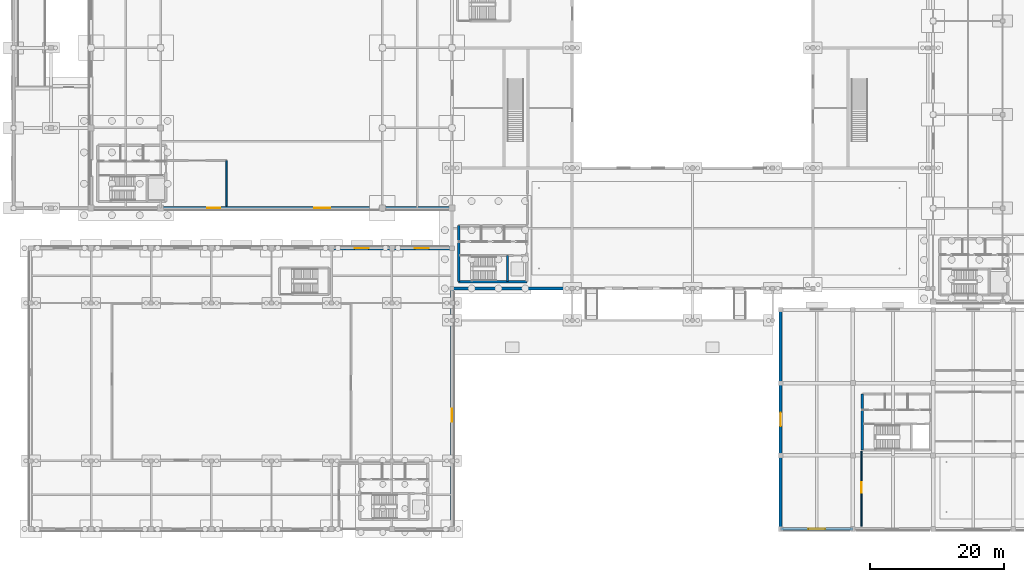
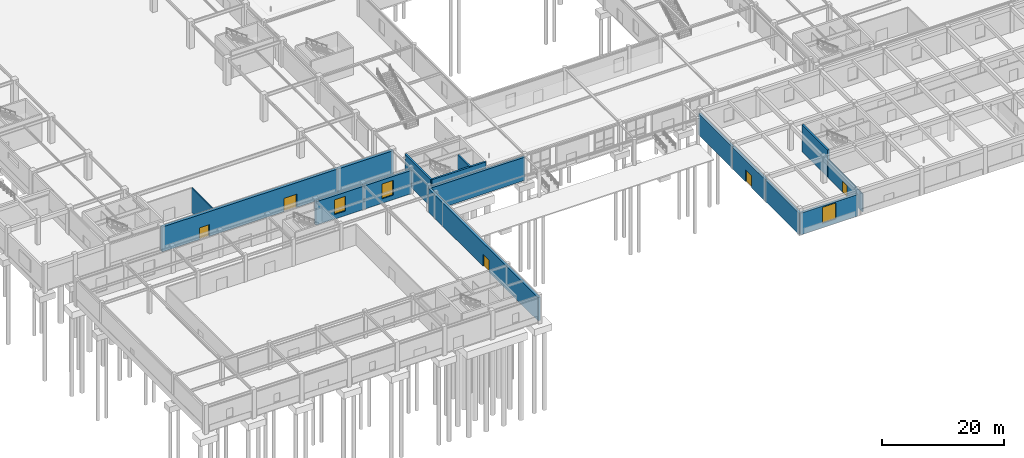
# One storey, part 25 of 53: 16 walls, 5 doors, 3 windows, 8 openings.
"""IFC4 building model written with IfcOpenShell, lengths in metres."""

from ifc_helpers import new_model, si_unit, derived_unit, direction, frame, frame_2d, origin, place, context, subcontext, project, spatial, rectangle, extrude, material, layer, layer_set, type_object, element, fill, save


model = new_model("IFC4")

# Units and contexts
model_context = context("Model", 3, precision=1e-05, world=origin(), true_north=direction((0.0, 1.0)))
body_context = subcontext(model_context, "Body", "Model", "MODEL_VIEW")
ifc_project = project(units=[si_unit("LENGTHUNIT", "METRE"), si_unit("AREAUNIT", "SQUARE_METRE"), si_unit("VOLUMEUNIT", "CUBIC_METRE"), si_unit("PLANEANGLEUNIT", "RADIAN"), si_unit("MASSUNIT", "GRAM", prefix="KILO"), derived_unit("THERMALTRANSMITTANCEUNIT", [(si_unit("POWERUNIT", "WATT"), 1), (si_unit("LENGTHUNIT", "METRE"), -2), (si_unit("THERMODYNAMICTEMPERATUREUNIT", "KELVIN"), -1)])], contexts=[model_context])

# Site, building, storey
site_placement = place(None, origin())
site = spatial("IfcSite", under=ifc_project, at=site_placement, CompositionType="ELEMENT")
building_placement = place(site_placement, origin())
building = spatial("IfcBuilding", under=site, at=building_placement, Name="Almenara Railside Exhibition Hall", CompositionType="ELEMENT")
storey_placement = place(building_placement, origin())
storey = spatial("IfcBuildingStorey", under=building, at=storey_placement, Name="L00", CompositionType="ELEMENT", Elevation=0.0)

# Walls
ifc_material_1 = material(Name="Concrete C35/45", Category="concrete")
ifc_layer_1 = layer(ifc_material_1, 0.35009765625, Name="Concrete C35/45")
ifc_layer_set_1 = layer_set([ifc_layer_1], Name="Concrete C35/45")
wall_type_1 = type_object("IfcWallType", Name="Core Coupled Shear Wall 350mm C35/45", PredefinedType="SHEAR", material=ifc_layer_set_1)
wall_1_placement = place(storey_placement, frame((67.0, 37.0, 0.0), z_axis=(0.0, 0.0, 1.0), x_axis=(1.0, 0.0, 0.0)))
element("IfcWall", 1, at=wall_1_placement, inside=storey, type_object=wall_type_1, Name="Interior wall 0073", PredefinedType="SHEAR", context=body_context, shape_type="SweptSolid", body=[
    extrude(rectangle(XDim=10.199951171875, YDim=0.35009765625, at=frame_2d((5.10009765625, 0.0))), origin(), (0.0, 0.0, 1.0), 5.39990234375),
])
for number, where, z_axis, x_axis, name in (
    (2, (67.0, 45.39990234375, 0.0), (0.0, 0.0, 1.0), (0.0, -1.0, 0.0), "Interior wall 0075"),
    (3, (127.39990234375, 20.199951171875, 0.0), (0.0, 0.0, 1.0), (0.0, -1.0, 0.0), "Interior wall 0111"),
):
    element("IfcWall", number, at=place(storey_placement, frame(where, z_axis=z_axis, x_axis=x_axis)), inside=storey, type_object=wall_type_1, Name=name, PredefinedType="SHEAR", context=body_context, shape_type="SweptSolid", body=[
        extrude(rectangle(XDim=8.39990234375, YDim=0.35009765625, at=frame_2d((4.199951171875, 0.0))), origin(), (0.0, 0.0, 1.0), 5.39990234375),
    ])

# Wall, opening, door
ifc_material_2 = material(Name="Fire-rated gypsum and masonry partition", Category="masonry")
ifc_layer_2 = layer(ifc_material_2, 0.18505859375, Name="Fire-rated gypsum and masonry partition")
ifc_layer_set_2 = layer_set([ifc_layer_2], Name="Fire-rated gypsum and masonry partition")
wall_type_2 = type_object("IfcWallType", Name="Corridor Fire Partition 185mm", PredefinedType="PARTITIONING", material=ifc_layer_set_2)
wall_2_placement = place(storey_placement, frame((127.300048828125, 0.39990234375, 0.0), z_axis=(0.0, 0.0, 1.0), x_axis=(0.0, 1.0, 0.0)))
wall_2 = element("IfcWall", 4, at=wall_2_placement, inside=storey, type_object=wall_type_2, Name="Interior wall 0374", PredefinedType="PARTITIONING", context=body_context, shape_type="SweptSolid", body=[
    extrude(rectangle(XDim=11.2001953125, YDim=0.18505859375, at=frame_2d((5.60009765625, 0.0))), origin(), (0.0, 0.0, 1.0), 3.60009765625),
])
opening_1_placement = place(wall_2_placement, frame((5.0, 0.0, 0.0)))
opening_1 = element("IfcOpeningElement", 5, at=opening_1_placement, cuts=wall_2, Name="Opening ID-16", PredefinedType="OPENING", context=body_context, shape_type="SweptSolid", body=[
    extrude(rectangle(XDim=1.60009765625, YDim=2.199951171875, at=frame_2d((0.800048828125, 1.10009765625))), frame((0.0, 0.1025390625, 0.0), z_axis=(0.0, -1.0, 0.0), x_axis=(1.0, 0.0, 0.0)), (0.0, 0.0, 1.0), 0.205078125),
])
ifc_material_3 = material(Name="Iroko hardwood double door", Category="wood")
door_type_1 = type_object("IfcDoorType", Name="Meeting Suite Double Door 1600x2200", OperationType="NOTDEFINED", PredefinedType="DOOR", material=ifc_material_3)
door_1_placement = place(opening_1_placement, origin())
door_1 = element("IfcDoor", 6, at=door_1_placement, inside=storey, type_object=door_type_1, Name="Interior door ID-16-237", OperationType="DOUBLE_DOOR_SINGLE_SWING", OverallHeight=2.199951171875, OverallWidth=1.60009765625, PredefinedType="DOOR", context=body_context, shape_type="SweptSolid", body=[
    extrude(rectangle(XDim=1.60009765625, YDim=2.199951171875, at=frame_2d((0.800048828125, 1.10009765625))), frame((0.0, 0.02490234375, 0.0), z_axis=(0.0, -1.0, 0.0), x_axis=(1.0, 0.0, 0.0)), (0.0, 0.0, 1.0), 0.050048828125),
])
fill(opening_1, door_1)

# Wall
ifc_material_4 = material(Name="Ochre-white lime-rendered masonry over Concrete C35/45", Category="masonry")
ifc_layer_3 = layer(ifc_material_4, 0.449951171875, Name="Ochre-white lime-rendered masonry over Concrete C35/45")
ifc_layer_set_3 = layer_set([ifc_layer_3], Name="Ochre-white lime-rendered masonry over Concrete C35/45")
wall_type_3 = type_object("IfcWallType", Name="Exterior Civic Stucco Wall 450mm C35/45", PredefinedType="SOLIDWALL", material=ifc_layer_set_3)
wall_3_placement = place(storey_placement, frame((66.0, 36.0, 0.0), z_axis=(0.0, 0.0, 1.0), x_axis=(1.0, 0.0, 0.0)))
element("IfcWall", 7, at=wall_3_placement, inside=storey, type_object=wall_type_3, Name="Exterior wall 0140", PredefinedType="SOLIDWALL", context=body_context, shape_type="SweptSolid", body=[
    extrude(rectangle(XDim=18.0, YDim=0.449951171875, at=frame_2d((9.0, 0.0))), origin(), (0.0, 0.0, 1.0), 4.64990234375),
])

# Wall, opening, window
wall_4_placement = place(storey_placement, frame((115.199951171875, 0.0, 0.0), z_axis=(0.0, 0.0, 1.0), x_axis=(1.0, 0.0, 0.0)))
wall_4 = element("IfcWall", 8, at=wall_4_placement, inside=storey, type_object=wall_type_3, Name="Exterior wall 0172", PredefinedType="SOLIDWALL", context=body_context, shape_type="SweptSolid", body=[
    extrude(rectangle(XDim=10.800048828125, YDim=0.449951171875, at=frame_2d((5.39990234375, 0.0))), origin(), (0.0, 0.0, 1.0), 4.300048828125),
])
opening_2_placement = place(wall_4_placement, frame((4.14990234375, 0.0, 0.85009765625)))
opening_2 = element("IfcOpeningElement", 9, at=opening_2_placement, cuts=wall_4, Name="Opening W-01", PredefinedType="OPENING", context=body_context, shape_type="SweptSolid", body=[
    extrude(rectangle(XDim=2.5, YDim=3.199951171875, at=frame_2d((1.25, 1.60009765625))), frame((0.0, 0.23486328125, 0.0), z_axis=(0.0, -1.0, 0.0), x_axis=(1.0, 0.0, 0.0)), (0.0, 0.0, 1.0), 0.469970703125),
])
ifc_material_5 = material(Name="Bronze-anodised aluminium and low-E double glazing", Category="aluminium")
window_type_1 = type_object("IfcWindowType", Name="Arched Congress Grand Window 2500x3200", PartitioningType="DOUBLE_PANEL_VERTICAL", PredefinedType="WINDOW", material=ifc_material_5)
window_1_placement = place(opening_2_placement, origin())
window_1 = element("IfcWindow", 10, at=window_1_placement, inside=storey, type_object=window_type_1, Name="Window 0041", OverallHeight=3.199951171875, OverallWidth=2.5, PartitioningType="DOUBLE_PANEL_VERTICAL", PredefinedType="WINDOW", context=body_context, shape_type="SweptSolid", body=[
    extrude(rectangle(XDim=2.5, YDim=3.199951171875, at=frame_2d((1.25, 1.60009765625))), frame((0.0, 0.030029296875, 0.0), z_axis=(0.0, -1.0, 0.0), x_axis=(1.0, 0.0, 0.0)), (0.0, 0.0, 1.0), 0.06005859375),
])
fill(opening_2, window_1)

# Wall
wall_5_placement = place(storey_placement, frame((115.199951171875, 11.0, 0.0), z_axis=(0.0, 0.0, 1.0), x_axis=(0.0, -1.0, 0.0)))
element("IfcWall", 11, at=wall_5_placement, inside=storey, type_object=wall_type_3, Name="Exterior wall 0189", PredefinedType="SOLIDWALL", context=body_context, shape_type="SweptSolid", body=[
    extrude(rectangle(XDim=11.0, YDim=0.449951171875, at=frame_2d((5.5, 0.0))), origin(), (0.0, 0.0, 1.0), 4.300048828125),
])

# Wall, opening, door
wall_6_placement = place(storey_placement, frame((115.199951171875, 21.800048828125, 0.0), z_axis=(0.0, 0.0, 1.0), x_axis=(0.0, -1.0, 0.0)))
wall_6 = element("IfcWall", 12, at=wall_6_placement, inside=storey, type_object=wall_type_3, Name="Exterior wall 0191", PredefinedType="SOLIDWALL", context=body_context, shape_type="SweptSolid", body=[
    extrude(rectangle(XDim=10.800048828125, YDim=0.449951171875, at=frame_2d((5.39990234375, 0.0))), origin(), (0.0, 0.0, 1.0), 4.300048828125),
])
opening_3_placement = place(wall_6_placement, frame((4.39990234375, 0.0, 0.0)))
opening_3 = element("IfcOpeningElement", 13, at=opening_3_placement, cuts=wall_6, Name="Opening ED-27", PredefinedType="OPENING", context=body_context, shape_type="SweptSolid", body=[
    extrude(rectangle(XDim=2.0, YDim=2.39990234375, at=frame_2d((1.0, 1.199951171875))), frame((0.0, 0.23486328125, 0.0), z_axis=(0.0, -1.0, 0.0), x_axis=(1.0, 0.0, 0.0)), (0.0, 0.0, 1.0), 0.469970703125),
])
ifc_material_6 = material(Name="Bronze-anodised glazed escape door")
door_type_2 = type_object("IfcDoorType", Name="Pavilion Double Escape Exit Door 2000x2400", OperationType="NOTDEFINED", PredefinedType="DOOR", material=ifc_material_6)
door_2_placement = place(opening_3_placement, frame((2.0, 0.0, 0.0), z_axis=(0.0, 0.0, 1.0), x_axis=(-1.0, 0.0, 0.0)))
door_2 = element("IfcDoor", 14, at=door_2_placement, inside=storey, type_object=door_type_2, Name="Exterior door ED-27", OperationType="DOUBLE_DOOR_SINGLE_SWING", OverallHeight=2.39990234375, OverallWidth=2.0, PredefinedType="DOOR", context=body_context, shape_type="SweptSolid", body=[
    extrude(rectangle(XDim=2.0, YDim=2.39990234375, at=frame_2d((1.0, 1.199951171875))), frame((0.0, 0.02490234375, 0.0), z_axis=(0.0, -1.0, 0.0), x_axis=(1.0, 0.0, 0.0)), (0.0, 0.0, 1.0), 0.050048828125),
])
fill(opening_3, door_2)

# Wall
wall_7_placement = place(storey_placement, frame((115.199951171875, 32.800048828125, 0.0), z_axis=(0.0, 0.0, 1.0), x_axis=(0.0, -1.0, 0.0)))
element("IfcWall", 15, at=wall_7_placement, inside=storey, type_object=wall_type_3, Name="Exterior wall 0193", PredefinedType="SOLIDWALL", context=body_context, shape_type="SweptSolid", body=[
    extrude(rectangle(XDim=11.0, YDim=0.449951171875, at=frame_2d((5.5, 0.0))), origin(), (0.0, 0.0, 1.0), 4.300048828125),
])

# Wall, opening, window
ifc_layer_4 = layer(ifc_material_4, 0.47998046875, Name="Ochre-white lime-rendered masonry over Concrete C35/45")
ifc_layer_set_4 = layer_set([ifc_layer_4], Name="Ochre-white lime-rendered masonry over Concrete C35/45")
wall_type_4 = type_object("IfcWallType", Name="Exterior Plenary Thermal Wall 480mm C35/45", PredefinedType="SOLIDWALL", material=ifc_layer_set_4)
wall_8_placement = place(storey_placement, frame((57.0, 42.0, 0.0), z_axis=(0.0, 0.0, 1.0), x_axis=(-1.0, 0.0, 0.0)))
wall_8 = element("IfcWall", 16, at=wall_8_placement, inside=storey, type_object=wall_type_4, Name="Exterior wall 0130", PredefinedType="SOLIDWALL", context=body_context, shape_type="SweptSolid", body=[
    extrude(rectangle(XDim=9.0, YDim=0.47998046875, at=frame_2d((4.5, 0.0))), origin(), (0.0, 0.0, 1.0), 4.64990234375),
])
opening_4_placement = place(wall_8_placement, frame((3.449951171875, 0.0, 0.89990234375)))
opening_4 = element("IfcOpeningElement", 17, at=opening_4_placement, cuts=wall_8, Name="Opening W-03", PredefinedType="OPENING", context=body_context, shape_type="SweptSolid", body=[
    extrude(rectangle(XDim=2.10009765625, YDim=2.949951171875, at=frame_2d((1.050048828125, 1.47509765625))), frame((0.0, 0.25, 0.0), z_axis=(0.0, -1.0, 0.0), x_axis=(1.0, 0.0, 0.0)), (0.0, 0.0, 1.0), 0.5),
])
window_type_2 = type_object("IfcWindowType", Name="Arched Congress Window 2100x2950", PartitioningType="DOUBLE_PANEL_VERTICAL", PredefinedType="WINDOW", material=ifc_material_5)
window_2_placement = place(opening_4_placement, origin())
window_2 = element("IfcWindow", 18, at=window_2_placement, inside=storey, type_object=window_type_2, Name="Window 0026", OverallHeight=2.949951171875, OverallWidth=2.10009765625, PartitioningType="DOUBLE_PANEL_VERTICAL", PredefinedType="WINDOW", context=body_context, shape_type="SweptSolid", body=[
    extrude(rectangle(XDim=2.10009765625, YDim=2.949951171875, at=frame_2d((1.050048828125, 1.47509765625))), frame((0.0, 0.030029296875, 0.0), z_axis=(0.0, -1.0, 0.0), x_axis=(1.0, 0.0, 0.0)), (0.0, 0.0, 1.0), 0.06005859375),
])
fill(opening_4, window_2)

wall_9_placement = place(storey_placement, frame((66.0, 42.0, 0.0), z_axis=(0.0, 0.0, 1.0), x_axis=(-1.0, 0.0, 0.0)))
wall_9 = element("IfcWall", 19, at=wall_9_placement, inside=storey, type_object=wall_type_4, Name="Exterior wall 0134", PredefinedType="SOLIDWALL", context=body_context, shape_type="SweptSolid", body=[
    extrude(rectangle(XDim=9.0, YDim=0.47998046875, at=frame_2d((4.5, 0.0))), origin(), (0.0, 0.0, 1.0), 4.64990234375),
])
opening_5_placement = place(wall_9_placement, frame((3.449951171875, 0.0, 0.89990234375)))
opening_5 = element("IfcOpeningElement", 20, at=opening_5_placement, cuts=wall_9, Name="Opening W-03", PredefinedType="OPENING", context=body_context, shape_type="SweptSolid", body=[
    extrude(rectangle(XDim=2.10009765625, YDim=2.949951171875, at=frame_2d((1.050048828125, 1.47509765625))), frame((0.0, 0.25, 0.0), z_axis=(0.0, -1.0, 0.0), x_axis=(1.0, 0.0, 0.0)), (0.0, 0.0, 1.0), 0.5),
])
window_3_placement = place(opening_5_placement, origin())
window_3 = element("IfcWindow", 21, at=window_3_placement, inside=storey, type_object=window_type_2, Name="Window 0028", OverallHeight=2.949951171875, OverallWidth=2.10009765625, PartitioningType="DOUBLE_PANEL_VERTICAL", PredefinedType="WINDOW", context=body_context, shape_type="SweptSolid", body=[
    extrude(rectangle(XDim=2.10009765625, YDim=2.949951171875, at=frame_2d((1.050048828125, 1.47509765625))), frame((0.0, 0.030029296875, 0.0), z_axis=(0.0, -1.0, 0.0), x_axis=(1.0, 0.0, 0.0)), (0.0, 0.0, 1.0), 0.06005859375),
])
fill(opening_5, window_3)

# Wall, opening, door
wall_10_placement = place(storey_placement, frame((66.0, 0.0, 0.0), z_axis=(0.0, 0.0, 1.0), x_axis=(0.0, 1.0, 0.0)))
wall_10 = element("IfcWall", 22, at=wall_10_placement, inside=storey, type_object=wall_type_4, Name="Exterior wall 0138", PredefinedType="SOLIDWALL", context=body_context, shape_type="SweptSolid", body=[
    extrude(rectangle(XDim=36.0, YDim=0.47998046875, at=frame_2d((18.0, 0.0))), origin(), (0.0, 0.0, 1.0), 4.64990234375),
])
opening_6_placement = place(wall_10_placement, frame((16.0, 0.0, 0.0)))
opening_6 = element("IfcOpeningElement", 23, at=opening_6_placement, cuts=wall_10, Name="Opening ED-19", PredefinedType="OPENING", context=body_context, shape_type="SweptSolid", body=[
    extrude(rectangle(XDim=2.0, YDim=2.39990234375, at=frame_2d((1.0, 1.199951171875))), frame((0.0, 0.25, 0.0), z_axis=(0.0, -1.0, 0.0), x_axis=(1.0, 0.0, 0.0)), (0.0, 0.0, 1.0), 0.5),
])
door_3_placement = place(opening_6_placement, frame((2.0, 0.0, 0.0), z_axis=(0.0, 0.0, 1.0), x_axis=(-1.0, 0.0, 0.0)))
door_3 = element("IfcDoor", 24, at=door_3_placement, inside=storey, type_object=door_type_2, Name="Exterior door ED-19", OperationType="DOUBLE_DOOR_SINGLE_SWING", OverallHeight=2.39990234375, OverallWidth=2.0, PredefinedType="DOOR", context=body_context, shape_type="SweptSolid", body=[
    extrude(rectangle(XDim=2.0, YDim=2.39990234375, at=frame_2d((1.0, 1.199951171875))), frame((0.0, 0.02490234375, 0.0), z_axis=(0.0, -1.0, 0.0), x_axis=(1.0, 0.0, 0.0)), (0.0, 0.0, 1.0), 0.050048828125),
])
fill(opening_6, door_3)

# Wall, openings, doors
ifc_layer_5 = layer(ifc_material_4, 0.5400390625, Name="Ochre-white lime-rendered masonry over Concrete C35/45")
ifc_layer_set_5 = layer_set([ifc_layer_5], Name="Ochre-white lime-rendered masonry over Concrete C35/45")
wall_type_5 = type_object("IfcWallType", Name="Exterior West Hall Thermal Wall 540mm C35/45", PredefinedType="SOLIDWALL", material=ifc_layer_set_5)
wall_11_placement = place(storey_placement, frame((22.39990234375, 48.0, 0.0), z_axis=(0.0, 0.0, 1.0), x_axis=(1.0, 0.0, 0.0)))
wall_11 = element("IfcWall", 25, at=wall_11_placement, inside=storey, type_object=wall_type_5, Name="Exterior wall 0058", PredefinedType="SOLIDWALL", context=body_context, shape_type="SweptSolid", body=[
    extrude(rectangle(XDim=33.2001953125, YDim=0.5400390625, at=frame_2d((16.60009765625, 0.0))), origin(), (0.0, 0.0, 1.0), 4.949951171875),
])
opening_7_placement = place(wall_11_placement, frame((7.0, 0.0, 0.0)))
opening_7 = element("IfcOpeningElement", 26, at=opening_7_placement, cuts=wall_11, Name="Opening ED-04", PredefinedType="OPENING", context=body_context, shape_type="SweptSolid", body=[
    extrude(rectangle(XDim=1.89990234375, YDim=2.35009765625, at=frame_2d((0.949951171875, 1.175048828125))), frame((0.0, 0.280029296875, 0.0), z_axis=(0.0, -1.0, 0.0), x_axis=(1.0, 0.0, 0.0)), (0.0, 0.0, 1.0), 0.56005859375),
])
opening_8_placement = place(wall_11_placement, frame((23.0, 0.0, 0.0)))
opening_8 = element("IfcOpeningElement", 27, at=opening_8_placement, cuts=wall_11, Name="Opening ED-05", PredefinedType="OPENING", context=body_context, shape_type="SweptSolid", body=[
    extrude(rectangle(XDim=2.39990234375, YDim=2.64990234375, at=frame_2d((1.199951171875, 1.324951171875))), frame((0.0, 0.280029296875, 0.0), z_axis=(0.0, -1.0, 0.0), x_axis=(1.0, 0.0, 0.0)), (0.0, 0.0, 1.0), 0.56005859375),
])
door_type_3 = type_object("IfcDoorType", Name="Congress Double Escape Door 1900x2350", OperationType="NOTDEFINED", PredefinedType="DOOR", material=ifc_material_6)
door_4_placement = place(opening_7_placement, frame((1.89990234375, 0.0, 0.0), z_axis=(0.0, 0.0, 1.0), x_axis=(-1.0, 0.0, 0.0)))
door_4 = element("IfcDoor", 28, at=door_4_placement, inside=storey, type_object=door_type_3, Name="Exterior door ED-04", OperationType="DOUBLE_DOOR_SINGLE_SWING", OverallHeight=2.35009765625, OverallWidth=1.89990234375, PredefinedType="DOOR", context=body_context, shape_type="SweptSolid", body=[
    extrude(rectangle(XDim=1.89990234375, YDim=2.35009765625, at=frame_2d((0.949951171875, 1.175048828125))), frame((0.0, 0.02490234375, 0.0), z_axis=(0.0, -1.0, 0.0), x_axis=(1.0, 0.0, 0.0)), (0.0, 0.0, 1.0), 0.050048828125),
])
fill(opening_7, door_4)
ifc_material_7 = material(Name="Bronze-anodised glazed entrance door")
door_type_4 = type_object("IfcDoorType", Name="Grand Civic Portal Double Exit Door 2400x2650", OperationType="NOTDEFINED", PredefinedType="DOOR", material=ifc_material_7)
door_5_placement = place(opening_8_placement, frame((2.39990234375, 0.0, 0.0), z_axis=(0.0, 0.0, 1.0), x_axis=(-1.0, 0.0, 0.0)))
door_5 = element("IfcDoor", 29, at=door_5_placement, inside=storey, type_object=door_type_4, Name="Exterior door ED-05", OperationType="DOUBLE_DOOR_SINGLE_SWING", OverallHeight=2.64990234375, OverallWidth=2.39990234375, PredefinedType="DOOR", context=body_context, shape_type="SweptSolid", body=[
    extrude(rectangle(XDim=2.39990234375, YDim=2.64990234375, at=frame_2d((1.199951171875, 1.324951171875))), frame((0.0, 0.02490234375, 0.0), z_axis=(0.0, -1.0, 0.0), x_axis=(1.0, 0.0, 0.0)), (0.0, 0.0, 1.0), 0.050048828125),
])
fill(opening_8, door_5)

# Walls
wall_12_placement = place(storey_placement, frame((55.60009765625, 48.0, 0.0), z_axis=(0.0, 0.0, 1.0), x_axis=(1.0, 0.0, 0.0)))
element("IfcWall", 30, at=wall_12_placement, inside=storey, type_object=wall_type_5, Name="Exterior wall 0061", PredefinedType="SOLIDWALL", context=body_context, shape_type="SweptSolid", body=[
    extrude(rectangle(XDim=10.39990234375, YDim=0.5400390625, at=frame_2d((5.199951171875, 0.0))), origin(), (0.0, 0.0, 1.0), 4.949951171875),
])
ifc_material_8 = material(Name="Insulated masonry over Concrete C35/45", Category="masonry")
ifc_layer_6 = layer(ifc_material_8, 0.219970703125, Name="Insulated masonry over Concrete C35/45")
ifc_layer_set_6 = layer_set([ifc_layer_6], Name="Insulated masonry over Concrete C35/45")
wall_type_6 = type_object("IfcWallType", Name="Occupancy Separating Fire Wall 220mm", PredefinedType="SOLIDWALL", material=ifc_layer_set_6)
wall_13_placement = place(storey_placement, frame((32.300048828125, 48.300048828125, 0.0), z_axis=(0.0, 0.0, 1.0), x_axis=(0.0, 1.0, 0.0)))
element("IfcWall", 31, at=wall_13_placement, inside=storey, type_object=wall_type_6, Name="Interior wall 0266", PredefinedType="SOLIDWALL", context=body_context, shape_type="SweptSolid", body=[
    extrude(rectangle(XDim=6.800048828125, YDim=0.219970703125, at=frame_2d((3.39990234375, 0.0))), origin(), (0.0, 0.0, 1.0), 4.89990234375),
])
ifc_layer_7 = layer(ifc_material_1, 0.300048828125, Name="Concrete C35/45")
ifc_layer_set_7 = layer_set([ifc_layer_7], Name="Concrete C35/45")
wall_type_7 = type_object("IfcWallType", Name="Stair and Lift Shaft Wall 300mm C35/45", PredefinedType="SHEAR", material=ifc_layer_set_7)
wall_14_placement = place(storey_placement, frame((74.35009765625, 37.0, 0.0), z_axis=(0.0, 0.0, 1.0), x_axis=(0.0, 1.0, 0.0)))
element("IfcWall", 32, at=wall_14_placement, inside=storey, type_object=wall_type_7, Name="Interior wall 0078", PredefinedType="SHEAR", context=body_context, shape_type="SweptSolid", body=[
    extrude(rectangle(XDim=3.89990234375, YDim=0.300048828125, at=frame_2d((1.949951171875, 0.0))), origin(), (0.0, 0.0, 1.0), 5.39990234375),
])

save(model, "model.ifc")
